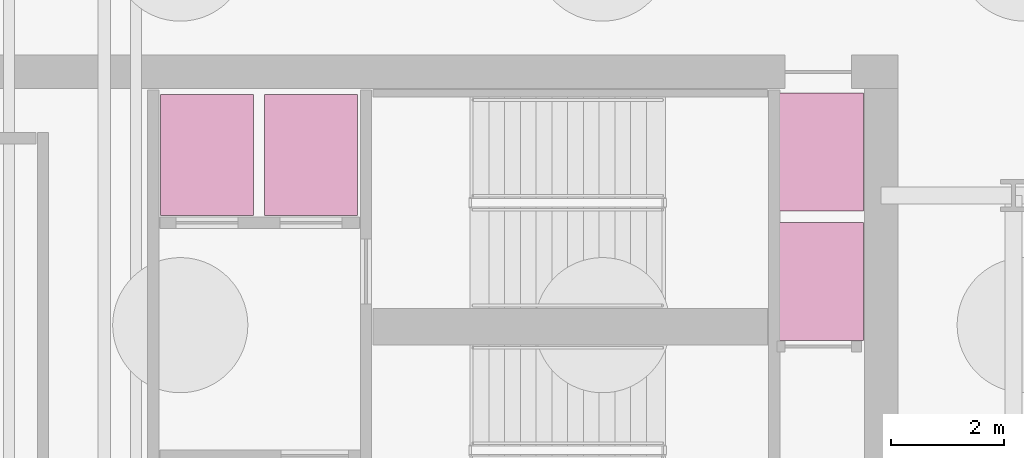
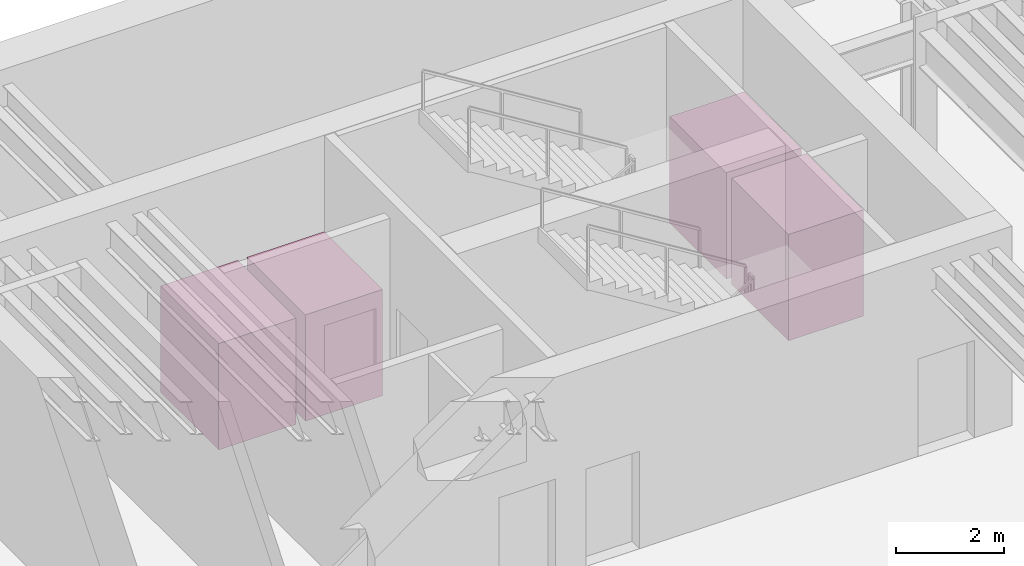
# One storey, part 11 of 11: 4 transport elements.
"""IFC4 building model written with IfcOpenShell, lengths in metres."""

from ifc_helpers import new_model, si_unit, direction, frame, origin, origin_2d, place, context, subcontext, project, spatial, rectangle, extrude, material, type_object, element, save


model = new_model("IFC4")

# Units and contexts
model_context = context("Model", 3, precision=1e-05, world=origin(), true_north=direction((0.0, 1.0)))
body_context = subcontext(model_context, "Body", "Model", "MODEL_VIEW")
ifc_project = project(units=[si_unit("LENGTHUNIT", "METRE"), si_unit("AREAUNIT", "SQUARE_METRE"), si_unit("VOLUMEUNIT", "CUBIC_METRE"), si_unit("PLANEANGLEUNIT", "RADIAN"), si_unit("MASSUNIT", "GRAM", prefix="KILO")], contexts=[model_context])

# Site, building, storey
site_placement = place(None, origin())
site = spatial("IfcSite", under=ifc_project, at=site_placement, CompositionType="ELEMENT")
building_placement = place(site_placement, origin())
building = spatial("IfcBuilding", under=site, at=building_placement, Name="Caeloran Harvest Quay", CompositionType="ELEMENT")
storey_placement = place(building_placement, frame((0.0, 0.0, -18.0)))
storey = spatial("IfcBuildingStorey", under=building, at=storey_placement, Name="B04", CompositionType="ELEMENT", Elevation=-18.0)

# Transport elements
ifc_material = material(Name="Brushed Stainless Steel Grade 316", Category="steel")
transport_element_type_1 = type_object("IfcTransportElementType", Name="LIFT-FIRE-1800", PredefinedType="ELEVATOR", material=ifc_material)
for number, where, z_axis, x_axis, name in (
    (1, (11.175048828125, 39.22509765625, 0.0), (0.0, 0.0, 1.0), (1.0, 0.0, 0.0), "Firefighting Elevator Lift FF-1"),
    (2, (13.02490234375, 39.22509765625, 0.0), (0.0, 0.0, 1.0), (1.0, 0.0, 0.0), "Firefighting Elevator Lift FF-2"),
):
    element("IfcTransportElement", number, at=place(storey_placement, frame(where, z_axis=z_axis, x_axis=x_axis)), inside=storey, type_object=transport_element_type_1, Name=name, PredefinedType="ELEVATOR", context=body_context, shape_type="SweptSolid", body=[
        extrude(rectangle(XDim=1.64990234375, YDim=2.14990234375, at=origin_2d()), origin(), (0.0, 0.0, 1.0), 2.39990234375),
    ])
transport_element_type_2 = type_object("IfcTransportElementType", Name="LIFT-SERVICE-2500", PredefinedType="ELEVATOR", material=ifc_material)
for number, where, z_axis, x_axis, name in (
    (3, (22.034912109375, 39.27490234375, 0.0), (0.0, 0.0, 1.0), (1.0, 0.0, 0.0), "Goods Service Elevator Lift SV-1"),
    (4, (22.034912109375, 36.97509765625, 0.0), (0.0, 0.0, 1.0), (1.0, 0.0, 0.0), "Goods Service Elevator Lift SV-2"),
):
    element("IfcTransportElement", number, at=place(storey_placement, frame(where, z_axis=z_axis, x_axis=x_axis)), inside=storey, type_object=transport_element_type_2, Name=name, PredefinedType="ELEVATOR", context=body_context, shape_type="SweptSolid", body=[
        extrude(rectangle(XDim=1.60009765625, YDim=2.10009765625, at=origin_2d()), origin(), (0.0, 0.0, 1.0), 2.39990234375),
    ])

save(model, "model.ifc")
